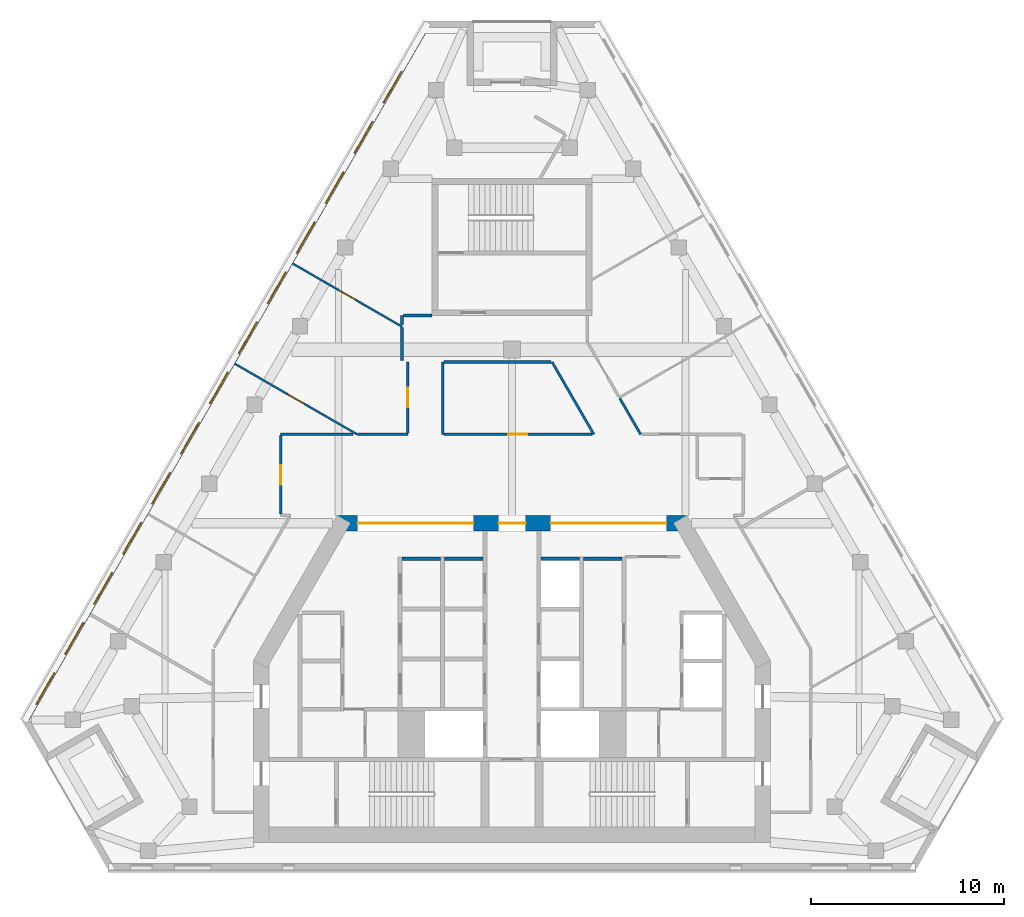
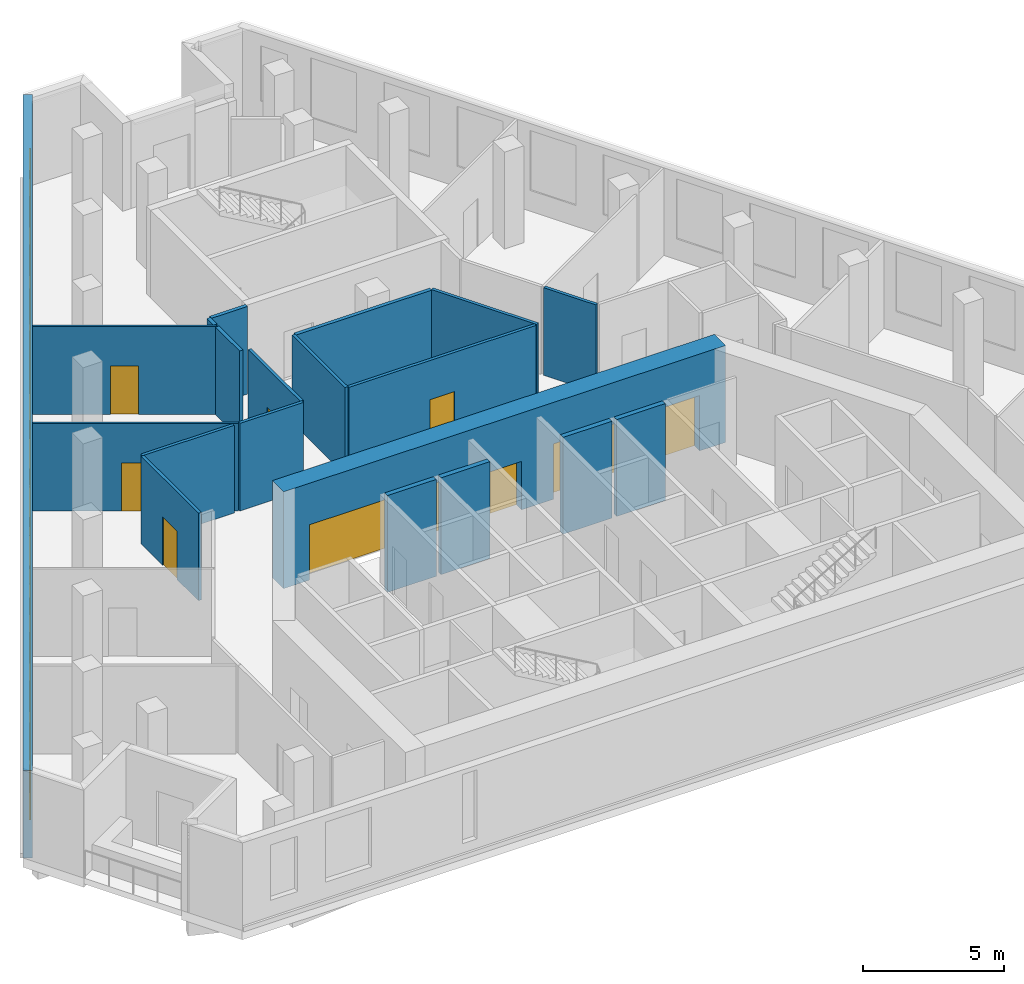
# One storey, part 4 of 9: 20 walls, 13 windows, 8 doors, 21 openings.
"""IFC4 building model written with IfcOpenShell, lengths in metres."""

from ifc_helpers import new_model, si_unit, direction, frame, frame_2d, origin, place, context, subcontext, project, spatial, rectangle, extrude, material, layer, layer_set, type_object, element, fill, save


model = new_model("IFC4")

# Units and contexts
model_context = context("Model", 3, precision=1e-05, world=origin(), true_north=direction((0.0, 1.0)))
body_context = subcontext(model_context, "Body", "Model", "MODEL_VIEW")
ifc_project = project(units=[si_unit("LENGTHUNIT", "METRE"), si_unit("AREAUNIT", "SQUARE_METRE"), si_unit("VOLUMEUNIT", "CUBIC_METRE"), si_unit("PLANEANGLEUNIT", "RADIAN"), si_unit("MASSUNIT", "GRAM", prefix="KILO")], contexts=[model_context])

# Site, building, storey
site_placement = place(None, origin())
site = spatial("IfcSite", under=ifc_project, at=site_placement, CompositionType="ELEMENT")
building_placement = place(site_placement, origin())
building = spatial("IfcBuilding", under=site, at=building_placement, Name="Fogline Exchange Tower", CompositionType="ELEMENT")
storey_placement = place(building_placement, frame((0.0, 0.0, 287.699951171875)))
storey = spatial("IfcBuildingStorey", under=building, at=storey_placement, Name="L65", CompositionType="ELEMENT", Elevation=287.699951171875)

# Walls
ifc_material_1 = material(Name="Concrete C40", Category="concrete")
ifc_layer_1 = layer(ifc_material_1, 0.199951171875)
ifc_layer_set_1 = layer_set([ifc_layer_1], Name="CW20S")
wall_type_1 = type_object("IfcWallType", Name="CW20S", PredefinedType="SOLIDWALL", material=ifc_layer_set_1)
for number, where, z_axis, x_axis, name in (
    (1, (-5.699951171875, 16.14990234375, -0.39990234375), (0.0, 0.0, 1.0), (1.0, 0.0, 0.0), "Lift shaft wall"),
    (2, (-3.5, 16.14990234375, -0.39990234375), (0.0, 0.0, 1.0), (1.0, 0.0, 0.0), "Lift shaft wall"),
    (3, (3.699951171875, 16.14990234375, -0.39990234375), (0.0, 0.0, 1.0), (1.0, 0.0, 0.0), "Lift shaft wall"),
    (4, (1.5, 16.14990234375, -0.39990234375), (0.0, 0.0, 1.0), (1.0, 0.0, 0.0), "Lift shaft wall"),
):
    element("IfcWall", number, at=place(storey_placement, frame(where, z_axis=z_axis, x_axis=x_axis)), inside=storey, type_object=wall_type_1, Name=name, PredefinedType="SOLIDWALL", context=body_context, shape_type="SweptSolid", body=[
        extrude(rectangle(XDim=2.0, YDim=0.199951171875, at=frame_2d((1.0, 0.0))), origin(), (0.0, 0.0, 1.0), 4.199951171875),
    ])

# Wall, openings, windows
ifc_material_2 = material(Name="Brick masonry", Category="masonry")
ifc_layer_2 = layer(ifc_material_2, 0.340087890625)
ifc_layer_set_2 = layer_set([ifc_layer_2], Name="FW1")
wall_type_2 = type_object("IfcWallType", Name="FW1", PredefinedType="SOLIDWALL", material=ifc_layer_set_2)
wall_1_placement = place(storey_placement, frame((-4.352783203125, 43.95166015625, 0.0), z_axis=(0.0, 0.0, 1.0), x_axis=(-0.499999693239, -0.866025580893, 0.0)))
wall_1 = element("IfcWall", 5, at=wall_1_placement, inside=storey, type_object=wall_type_2, Name="Brick wall L65 W", PredefinedType="SOLIDWALL", context=body_context, shape_type="SweptSolid", body=[
    extrude(rectangle(XDim=41.84912109375, YDim=0.340087890625, at=frame_2d((20.924560546875, 0.0))), origin(), (0.0, 0.0, 1.0), 3.800048828125),
])
opening_1_placement = place(wall_1_placement, frame((2.886962890625, 0.0, 0.89990234375)))
opening_1 = element("IfcOpeningElement", 6, at=opening_1_placement, cuts=wall_1, Name="Opening W3", PredefinedType="OPENING", context=body_context, shape_type="SweptSolid", body=[
    extrude(rectangle(XDim=1.885009765625, YDim=2.60009765625, at=frame_2d((0.9423828125, 1.300048828125))), frame((0.0, 0.18017578125, 0.0), z_axis=(0.0, -1.0, 0.0), x_axis=(1.0, 0.0, 0.0)), (0.0, 0.0, 1.0), 0.360107421875),
])
opening_2_placement = place(wall_1_placement, frame((5.886962890625, 0.0, 0.89990234375)))
opening_2 = element("IfcOpeningElement", 7, at=opening_2_placement, cuts=wall_1, Name="Opening W3", PredefinedType="OPENING", context=body_context, shape_type="SweptSolid", body=[
    extrude(rectangle(XDim=1.885009765625, YDim=2.60009765625, at=frame_2d((0.9423828125, 1.300048828125))), frame((0.0, 0.18017578125, 0.0), z_axis=(0.0, -1.0, 0.0), x_axis=(1.0, 0.0, 0.0)), (0.0, 0.0, 1.0), 0.360107421875),
])
opening_3_placement = place(wall_1_placement, frame((8.886962890625, 0.0, 0.89990234375)))
opening_3 = element("IfcOpeningElement", 8, at=opening_3_placement, cuts=wall_1, Name="Opening W3", PredefinedType="OPENING", context=body_context, shape_type="SweptSolid", body=[
    extrude(rectangle(XDim=1.885009765625, YDim=2.60009765625, at=frame_2d((0.9423828125, 1.300048828125))), frame((0.0, 0.18017578125, 0.0), z_axis=(0.0, -1.0, 0.0), x_axis=(1.0, 0.0, 0.0)), (0.0, 0.0, 1.0), 0.360107421875),
])
opening_4_placement = place(wall_1_placement, frame((11.886962890625, 0.0, 0.89990234375)))
opening_4 = element("IfcOpeningElement", 9, at=opening_4_placement, cuts=wall_1, Name="Opening W3", PredefinedType="OPENING", context=body_context, shape_type="SweptSolid", body=[
    extrude(rectangle(XDim=1.885009765625, YDim=2.60009765625, at=frame_2d((0.9423828125, 1.300048828125))), frame((0.0, 0.18017578125, 0.0), z_axis=(0.0, -1.0, 0.0), x_axis=(1.0, 0.0, 0.0)), (0.0, 0.0, 1.0), 0.360107421875),
])
opening_5_placement = place(wall_1_placement, frame((14.886962890625, 0.0, 0.89990234375)))
opening_5 = element("IfcOpeningElement", 10, at=opening_5_placement, cuts=wall_1, Name="Opening W3", PredefinedType="OPENING", context=body_context, shape_type="SweptSolid", body=[
    extrude(rectangle(XDim=1.885009765625, YDim=2.60009765625, at=frame_2d((0.9423828125, 1.300048828125))), frame((0.0, 0.18017578125, 0.0), z_axis=(0.0, -1.0, 0.0), x_axis=(1.0, 0.0, 0.0)), (0.0, 0.0, 1.0), 0.360107421875),
])
opening_6_placement = place(wall_1_placement, frame((17.886962890625, 0.0, 0.89990234375)))
opening_6 = element("IfcOpeningElement", 11, at=opening_6_placement, cuts=wall_1, Name="Opening W3", PredefinedType="OPENING", context=body_context, shape_type="SweptSolid", body=[
    extrude(rectangle(XDim=1.885009765625, YDim=2.60009765625, at=frame_2d((0.9423828125, 1.300048828125))), frame((0.0, 0.18017578125, 0.0), z_axis=(0.0, -1.0, 0.0), x_axis=(1.0, 0.0, 0.0)), (0.0, 0.0, 1.0), 0.360107421875),
])
opening_7_placement = place(wall_1_placement, frame((20.886962890625, 0.0, 0.89990234375)))
opening_7 = element("IfcOpeningElement", 12, at=opening_7_placement, cuts=wall_1, Name="Opening W3", PredefinedType="OPENING", context=body_context, shape_type="SweptSolid", body=[
    extrude(rectangle(XDim=1.885009765625, YDim=2.60009765625, at=frame_2d((0.9423828125, 1.300048828125))), frame((0.0, 0.18017578125, 0.0), z_axis=(0.0, -1.0, 0.0), x_axis=(1.0, 0.0, 0.0)), (0.0, 0.0, 1.0), 0.360107421875),
])
opening_8_placement = place(wall_1_placement, frame((23.886962890625, 0.0, 0.89990234375)))
opening_8 = element("IfcOpeningElement", 13, at=opening_8_placement, cuts=wall_1, Name="Opening W3", PredefinedType="OPENING", context=body_context, shape_type="SweptSolid", body=[
    extrude(rectangle(XDim=1.885009765625, YDim=2.60009765625, at=frame_2d((0.9423828125, 1.300048828125))), frame((0.0, 0.18017578125, 0.0), z_axis=(0.0, -1.0, 0.0), x_axis=(1.0, 0.0, 0.0)), (0.0, 0.0, 1.0), 0.360107421875),
])
opening_9_placement = place(wall_1_placement, frame((26.886962890625, 0.0, 0.89990234375)))
opening_9 = element("IfcOpeningElement", 14, at=opening_9_placement, cuts=wall_1, Name="Opening W3", PredefinedType="OPENING", context=body_context, shape_type="SweptSolid", body=[
    extrude(rectangle(XDim=1.885009765625, YDim=2.60009765625, at=frame_2d((0.9423828125, 1.300048828125))), frame((0.0, 0.18017578125, 0.0), z_axis=(0.0, -1.0, 0.0), x_axis=(1.0, 0.0, 0.0)), (0.0, 0.0, 1.0), 0.360107421875),
])
opening_10_placement = place(wall_1_placement, frame((29.886962890625, 0.0, 0.89990234375)))
opening_10 = element("IfcOpeningElement", 15, at=opening_10_placement, cuts=wall_1, Name="Opening W3", PredefinedType="OPENING", context=body_context, shape_type="SweptSolid", body=[
    extrude(rectangle(XDim=1.885009765625, YDim=2.60009765625, at=frame_2d((0.9423828125, 1.300048828125))), frame((0.0, 0.18017578125, 0.0), z_axis=(0.0, -1.0, 0.0), x_axis=(1.0, 0.0, 0.0)), (0.0, 0.0, 1.0), 0.360107421875),
])
opening_11_placement = place(wall_1_placement, frame((32.886962890625, 0.0, 0.89990234375)))
opening_11 = element("IfcOpeningElement", 16, at=opening_11_placement, cuts=wall_1, Name="Opening W3", PredefinedType="OPENING", context=body_context, shape_type="SweptSolid", body=[
    extrude(rectangle(XDim=1.885009765625, YDim=2.60009765625, at=frame_2d((0.9423828125, 1.300048828125))), frame((0.0, 0.18017578125, 0.0), z_axis=(0.0, -1.0, 0.0), x_axis=(1.0, 0.0, 0.0)), (0.0, 0.0, 1.0), 0.360107421875),
])
opening_12_placement = place(wall_1_placement, frame((35.886962890625, 0.0, 0.89990234375)))
opening_12 = element("IfcOpeningElement", 17, at=opening_12_placement, cuts=wall_1, Name="Opening W3", PredefinedType="OPENING", context=body_context, shape_type="SweptSolid", body=[
    extrude(rectangle(XDim=1.885009765625, YDim=2.60009765625, at=frame_2d((0.9423828125, 1.300048828125))), frame((0.0, 0.18017578125, 0.0), z_axis=(0.0, -1.0, 0.0), x_axis=(1.0, 0.0, 0.0)), (0.0, 0.0, 1.0), 0.360107421875),
])
opening_13_placement = place(wall_1_placement, frame((38.886962890625, 0.0, 0.89990234375)))
opening_13 = element("IfcOpeningElement", 18, at=opening_13_placement, cuts=wall_1, Name="Opening W3", PredefinedType="OPENING", context=body_context, shape_type="SweptSolid", body=[
    extrude(rectangle(XDim=1.885009765625, YDim=2.60009765625, at=frame_2d((0.9423828125, 1.300048828125))), frame((0.0, 0.18017578125, 0.0), z_axis=(0.0, -1.0, 0.0), x_axis=(1.0, 0.0, 0.0)), (0.0, 0.0, 1.0), 0.360107421875),
])
ifc_material_3 = material(Name="Aluminium and glass", Category="aluminium")
window_type = type_object("IfcWindowType", Name="W3", PartitioningType="SINGLE_PANEL", PredefinedType="WINDOW", material=ifc_material_3)
window_1_placement = place(opening_1_placement, origin())
window_1 = element("IfcWindow", 19, at=window_1_placement, inside=storey, type_object=window_type, Name="W3 W3", OverallHeight=2.60009765625, OverallWidth=1.885009765625, PartitioningType="SINGLE_PANEL", PredefinedType="WINDOW", context=body_context, shape_type="SweptSolid", body=[
    extrude(rectangle(XDim=1.885009765625, YDim=2.60009765625, at=frame_2d((0.9423828125, 1.300048828125))), frame((0.0, 0.110107421875, 0.0), z_axis=(0.0, -1.0, 0.0), x_axis=(1.0, 0.0, 0.0)), (0.0, 0.0, 1.0), 0.06005859375),
])
fill(opening_1, window_1)
window_2_placement = place(opening_2_placement, origin())
window_2 = element("IfcWindow", 20, at=window_2_placement, inside=storey, type_object=window_type, Name="W3 W3", OverallHeight=2.60009765625, OverallWidth=1.885009765625, PartitioningType="SINGLE_PANEL", PredefinedType="WINDOW", context=body_context, shape_type="SweptSolid", body=[
    extrude(rectangle(XDim=1.885009765625, YDim=2.60009765625, at=frame_2d((0.9423828125, 1.300048828125))), frame((0.0, 0.110107421875, 0.0), z_axis=(0.0, -1.0, 0.0), x_axis=(1.0, 0.0, 0.0)), (0.0, 0.0, 1.0), 0.06005859375),
])
fill(opening_2, window_2)
window_3_placement = place(opening_3_placement, origin())
window_3 = element("IfcWindow", 21, at=window_3_placement, inside=storey, type_object=window_type, Name="W3 W3", OverallHeight=2.60009765625, OverallWidth=1.885009765625, PartitioningType="SINGLE_PANEL", PredefinedType="WINDOW", context=body_context, shape_type="SweptSolid", body=[
    extrude(rectangle(XDim=1.885009765625, YDim=2.60009765625, at=frame_2d((0.9423828125, 1.300048828125))), frame((0.0, 0.110107421875, 0.0), z_axis=(0.0, -1.0, 0.0), x_axis=(1.0, 0.0, 0.0)), (0.0, 0.0, 1.0), 0.06005859375),
])
fill(opening_3, window_3)
window_4_placement = place(opening_4_placement, origin())
window_4 = element("IfcWindow", 22, at=window_4_placement, inside=storey, type_object=window_type, Name="W3 W3", OverallHeight=2.60009765625, OverallWidth=1.885009765625, PartitioningType="SINGLE_PANEL", PredefinedType="WINDOW", context=body_context, shape_type="SweptSolid", body=[
    extrude(rectangle(XDim=1.885009765625, YDim=2.60009765625, at=frame_2d((0.9423828125, 1.300048828125))), frame((0.0, 0.110107421875, 0.0), z_axis=(0.0, -1.0, 0.0), x_axis=(1.0, 0.0, 0.0)), (0.0, 0.0, 1.0), 0.06005859375),
])
fill(opening_4, window_4)
window_5_placement = place(opening_5_placement, origin())
window_5 = element("IfcWindow", 23, at=window_5_placement, inside=storey, type_object=window_type, Name="W3 W3", OverallHeight=2.60009765625, OverallWidth=1.885009765625, PartitioningType="SINGLE_PANEL", PredefinedType="WINDOW", context=body_context, shape_type="SweptSolid", body=[
    extrude(rectangle(XDim=1.885009765625, YDim=2.60009765625, at=frame_2d((0.9423828125, 1.300048828125))), frame((0.0, 0.110107421875, 0.0), z_axis=(0.0, -1.0, 0.0), x_axis=(1.0, 0.0, 0.0)), (0.0, 0.0, 1.0), 0.06005859375),
])
fill(opening_5, window_5)
window_6_placement = place(opening_6_placement, origin())
window_6 = element("IfcWindow", 24, at=window_6_placement, inside=storey, type_object=window_type, Name="W3 W3", OverallHeight=2.60009765625, OverallWidth=1.885009765625, PartitioningType="SINGLE_PANEL", PredefinedType="WINDOW", context=body_context, shape_type="SweptSolid", body=[
    extrude(rectangle(XDim=1.885009765625, YDim=2.60009765625, at=frame_2d((0.9423828125, 1.300048828125))), frame((0.0, 0.110107421875, 0.0), z_axis=(0.0, -1.0, 0.0), x_axis=(1.0, 0.0, 0.0)), (0.0, 0.0, 1.0), 0.06005859375),
])
fill(opening_6, window_6)
window_7_placement = place(opening_7_placement, origin())
window_7 = element("IfcWindow", 25, at=window_7_placement, inside=storey, type_object=window_type, Name="W3 W3", OverallHeight=2.60009765625, OverallWidth=1.885009765625, PartitioningType="SINGLE_PANEL", PredefinedType="WINDOW", context=body_context, shape_type="SweptSolid", body=[
    extrude(rectangle(XDim=1.885009765625, YDim=2.60009765625, at=frame_2d((0.9423828125, 1.300048828125))), frame((0.0, 0.110107421875, 0.0), z_axis=(0.0, -1.0, 0.0), x_axis=(1.0, 0.0, 0.0)), (0.0, 0.0, 1.0), 0.06005859375),
])
fill(opening_7, window_7)
window_8_placement = place(opening_8_placement, origin())
window_8 = element("IfcWindow", 26, at=window_8_placement, inside=storey, type_object=window_type, Name="W3 W3", OverallHeight=2.60009765625, OverallWidth=1.885009765625, PartitioningType="SINGLE_PANEL", PredefinedType="WINDOW", context=body_context, shape_type="SweptSolid", body=[
    extrude(rectangle(XDim=1.885009765625, YDim=2.60009765625, at=frame_2d((0.9423828125, 1.300048828125))), frame((0.0, 0.110107421875, 0.0), z_axis=(0.0, -1.0, 0.0), x_axis=(1.0, 0.0, 0.0)), (0.0, 0.0, 1.0), 0.06005859375),
])
fill(opening_8, window_8)
window_9_placement = place(opening_9_placement, origin())
window_9 = element("IfcWindow", 27, at=window_9_placement, inside=storey, type_object=window_type, Name="W3 W3", OverallHeight=2.60009765625, OverallWidth=1.885009765625, PartitioningType="SINGLE_PANEL", PredefinedType="WINDOW", context=body_context, shape_type="SweptSolid", body=[
    extrude(rectangle(XDim=1.885009765625, YDim=2.60009765625, at=frame_2d((0.9423828125, 1.300048828125))), frame((0.0, 0.110107421875, 0.0), z_axis=(0.0, -1.0, 0.0), x_axis=(1.0, 0.0, 0.0)), (0.0, 0.0, 1.0), 0.06005859375),
])
fill(opening_9, window_9)
window_10_placement = place(opening_10_placement, origin())
window_10 = element("IfcWindow", 28, at=window_10_placement, inside=storey, type_object=window_type, Name="W3 W3", OverallHeight=2.60009765625, OverallWidth=1.885009765625, PartitioningType="SINGLE_PANEL", PredefinedType="WINDOW", context=body_context, shape_type="SweptSolid", body=[
    extrude(rectangle(XDim=1.885009765625, YDim=2.60009765625, at=frame_2d((0.9423828125, 1.300048828125))), frame((0.0, 0.110107421875, 0.0), z_axis=(0.0, -1.0, 0.0), x_axis=(1.0, 0.0, 0.0)), (0.0, 0.0, 1.0), 0.06005859375),
])
fill(opening_10, window_10)
window_11_placement = place(opening_11_placement, origin())
window_11 = element("IfcWindow", 29, at=window_11_placement, inside=storey, type_object=window_type, Name="W3 W3", OverallHeight=2.60009765625, OverallWidth=1.885009765625, PartitioningType="SINGLE_PANEL", PredefinedType="WINDOW", context=body_context, shape_type="SweptSolid", body=[
    extrude(rectangle(XDim=1.885009765625, YDim=2.60009765625, at=frame_2d((0.9423828125, 1.300048828125))), frame((0.0, 0.110107421875, 0.0), z_axis=(0.0, -1.0, 0.0), x_axis=(1.0, 0.0, 0.0)), (0.0, 0.0, 1.0), 0.06005859375),
])
fill(opening_11, window_11)
window_12_placement = place(opening_12_placement, origin())
window_12 = element("IfcWindow", 30, at=window_12_placement, inside=storey, type_object=window_type, Name="W3 W3", OverallHeight=2.60009765625, OverallWidth=1.885009765625, PartitioningType="SINGLE_PANEL", PredefinedType="WINDOW", context=body_context, shape_type="SweptSolid", body=[
    extrude(rectangle(XDim=1.885009765625, YDim=2.60009765625, at=frame_2d((0.9423828125, 1.300048828125))), frame((0.0, 0.110107421875, 0.0), z_axis=(0.0, -1.0, 0.0), x_axis=(1.0, 0.0, 0.0)), (0.0, 0.0, 1.0), 0.06005859375),
])
fill(opening_12, window_12)
window_13_placement = place(opening_13_placement, origin())
window_13 = element("IfcWindow", 31, at=window_13_placement, inside=storey, type_object=window_type, Name="W3 W3", OverallHeight=2.60009765625, OverallWidth=1.885009765625, PartitioningType="SINGLE_PANEL", PredefinedType="WINDOW", context=body_context, shape_type="SweptSolid", body=[
    extrude(rectangle(XDim=1.885009765625, YDim=2.60009765625, at=frame_2d((0.9423828125, 1.300048828125))), frame((0.0, 0.110107421875, 0.0), z_axis=(0.0, -1.0, 0.0), x_axis=(1.0, 0.0, 0.0)), (0.0, 0.0, 1.0), 0.06005859375),
])
fill(opening_13, window_13)

# Wall, opening, door
ifc_material_4 = material(Name="Plasterboard partition, 2 layers each side on steel studs", Category="steel")
ifc_layer_3 = layer(ifc_material_4, 0.10009765625)
ifc_layer_set_3 = layer_set([ifc_layer_3], Name="PW1")
wall_type_3 = type_object("IfcWallType", Name="PW1", PredefinedType="PARTITIONING", material=ifc_layer_set_3)
wall_2_placement = place(storey_placement, frame((-5.699951171875, 28.183349609375, 0.0), z_axis=(0.0, 0.0, 1.0), x_axis=(-0.86602475796, 0.5000011186, 0.0)))
wall_2 = element("IfcWall", 32, at=wall_2_placement, inside=storey, type_object=wall_type_3, Name="wall-L65-W041", PredefinedType="PARTITIONING", context=body_context, shape_type="SweptSolid", body=[
    extrude(rectangle(XDim=6.54736328125, YDim=0.10009765625, at=frame_2d((3.273681640625, 0.0))), origin(), (0.0, 0.0, 1.0), 3.800048828125),
])
opening_14_placement = place(wall_2_placement, frame((2.773681640625, 0.0, 0.0)))
opening_14 = element("IfcOpeningElement", 33, at=opening_14_placement, cuts=wall_2, Name="Opening T20-D013", PredefinedType="OPENING", context=body_context, shape_type="SweptSolid", body=[
    extrude(rectangle(XDim=1.0, YDim=2.10009765625, at=frame_2d((0.5, 1.050048828125))), frame((0.0, 0.06005859375, 0.0), z_axis=(0.0, -1.0, 0.0), x_axis=(1.0, 0.0, 0.0)), (0.0, 0.0, 1.0), 0.1201171875),
])
ifc_material_5 = material(Name="Timber door leaf with steel frame", Category="steel")
door_type_1 = type_object("IfcDoorType", Name="D1", OperationType="SINGLE_SWING_LEFT", PredefinedType="DOOR", material=ifc_material_5)
door_1_placement = place(opening_14_placement, origin())
door_1 = element("IfcDoor", 34, at=door_1_placement, inside=storey, type_object=door_type_1, Name="door-L65-D013", OperationType="SINGLE_SWING_LEFT", OverallHeight=2.10009765625, OverallWidth=1.0, PredefinedType="DOOR", context=body_context, shape_type="SweptSolid", body=[
    extrude(rectangle(XDim=1.0, YDim=2.10009765625, at=frame_2d((0.5, 1.050048828125))), frame((0.0, 0.02490234375, 0.0), z_axis=(0.0, -1.0, 0.0), x_axis=(1.0, 0.0, 0.0)), (0.0, 0.0, 1.0), 0.050048828125),
])
fill(opening_14, door_1)

wall_3_placement = place(storey_placement, frame((-8.029296875, 22.60009765625, 0.0), z_axis=(0.0, 0.0, 1.0), x_axis=(-0.866024554669, 0.500001470709, 0.0)))
wall_3 = element("IfcWall", 35, at=wall_3_placement, inside=storey, type_object=wall_type_3, Name="wall-L65-W042", PredefinedType="PARTITIONING", context=body_context, shape_type="SweptSolid", body=[
    extrude(rectangle(XDim=7.32177734375, YDim=0.10009765625, at=frame_2d((3.660888671875, 0.0))), origin(), (0.0, 0.0, 1.0), 3.800048828125),
])
opening_15_placement = place(wall_3_placement, frame((3.160888671875, 0.0, 0.0)))
opening_15 = element("IfcOpeningElement", 36, at=opening_15_placement, cuts=wall_3, Name="Opening T20-D014", PredefinedType="OPENING", context=body_context, shape_type="SweptSolid", body=[
    extrude(rectangle(XDim=1.0, YDim=2.10009765625, at=frame_2d((0.5, 1.050048828125))), frame((0.0, 0.06005859375, 0.0), z_axis=(0.0, -1.0, 0.0), x_axis=(1.0, 0.0, 0.0)), (0.0, 0.0, 1.0), 0.1201171875),
])
door_2_placement = place(opening_15_placement, frame((1.0, 0.0, 0.0), z_axis=(0.0, 0.0, 1.0), x_axis=(-1.0, 0.0, 0.0)))
door_2 = element("IfcDoor", 37, at=door_2_placement, inside=storey, type_object=door_type_1, Name="door-L65-D014", OperationType="SINGLE_SWING_LEFT", OverallHeight=2.10009765625, OverallWidth=1.0, PredefinedType="DOOR", context=body_context, shape_type="SweptSolid", body=[
    extrude(rectangle(XDim=1.0, YDim=2.10009765625, at=frame_2d((0.5, 1.050048828125))), frame((0.0, 0.02490234375, 0.0), z_axis=(0.0, -1.0, 0.0), x_axis=(1.0, 0.0, 0.0)), (0.0, 0.0, 1.0), 0.050048828125),
])
fill(opening_15, door_2)

ifc_material_6 = material(Name="Plasterboard corridor partition with mineral wool, 2 layers each side")
ifc_layer_4 = layer(ifc_material_6, 0.125)
ifc_layer_set_4 = layer_set([ifc_layer_4], Name="PW2")
wall_type_4 = type_object("IfcWallType", Name="PW2", PredefinedType="PARTITIONING", material=ifc_layer_set_4)
wall_4_placement = place(storey_placement, frame((-3.53759765625, 22.60009765625, 0.0), z_axis=(0.0, 0.0, 1.0), x_axis=(1.0, 0.0, 0.0)))
wall_4 = element("IfcWall", 38, at=wall_4_placement, inside=storey, type_object=wall_type_4, Name="wall-L65-W011", PredefinedType="PARTITIONING", context=body_context, shape_type="SweptSolid", body=[
    extrude(rectangle(XDim=7.6728515625, YDim=0.125, at=frame_2d((3.83642578125, 0.0))), origin(), (0.0, 0.0, 1.0), 3.800048828125),
])
opening_16_placement = place(wall_4_placement, frame((3.33642578125, 0.0, 0.0)))
opening_16 = element("IfcOpeningElement", 39, at=opening_16_placement, cuts=wall_4, Name="Opening T20-D005", PredefinedType="OPENING", context=body_context, shape_type="SweptSolid", body=[
    extrude(rectangle(XDim=1.0, YDim=2.10009765625, at=frame_2d((0.5, 1.050048828125))), frame((0.0, 0.072509765625, 0.0), z_axis=(0.0, -1.0, 0.0), x_axis=(1.0, 0.0, 0.0)), (0.0, 0.0, 1.0), 0.14501953125),
])
ifc_material_7 = material(Name="Fire-rated timber door leaf with steel frame", Category="steel")
door_type_2 = type_object("IfcDoorType", Name="D3", OperationType="SINGLE_SWING_LEFT", PredefinedType="DOOR", material=ifc_material_7)
door_3_placement = place(opening_16_placement, origin())
door_3 = element("IfcDoor", 40, at=door_3_placement, inside=storey, type_object=door_type_2, Name="door-L65-D005", OperationType="SINGLE_SWING_LEFT", OverallHeight=2.10009765625, OverallWidth=1.0, PredefinedType="DOOR", context=body_context, shape_type="SweptSolid", body=[
    extrude(rectangle(XDim=1.0, YDim=2.10009765625, at=frame_2d((0.5, 1.050048828125))), frame((0.0, 0.02490234375, 0.0), z_axis=(0.0, -1.0, 0.0), x_axis=(1.0, 0.0, 0.0)), (0.0, 0.0, 1.0), 0.050048828125),
])
fill(opening_16, door_3)

# Wall
wall_5_placement = place(storey_placement, frame((-8.00390625, 22.60009765625, 0.0), z_axis=(0.0, 0.0, 1.0), x_axis=(1.0, 0.0, 0.0)))
element("IfcWall", 41, at=wall_5_placement, inside=storey, type_object=wall_type_4, Name="wall-L65-W012", PredefinedType="PARTITIONING", context=body_context, shape_type="SweptSolid", body=[
    extrude(rectangle(XDim=2.60400390625, YDim=0.125, at=frame_2d((1.302001953125, 0.0))), origin(), (0.0, 0.0, 1.0), 3.800048828125),
])

# Wall, opening, door
wall_6_placement = place(storey_placement, frame((-12.0, 18.46240234375, 0.0), z_axis=(0.0, 0.0, 1.0), x_axis=(0.0, 1.0, 0.0)))
wall_6 = element("IfcWall", 42, at=wall_6_placement, inside=storey, type_object=wall_type_4, Name="wall-L65-W014", PredefinedType="PARTITIONING", context=body_context, shape_type="SweptSolid", body=[
    extrude(rectangle(XDim=4.0751953125, YDim=0.125, at=frame_2d((2.03759765625, 0.0))), origin(), (0.0, 0.0, 1.0), 3.800048828125),
])
opening_17_placement = place(wall_6_placement, frame((1.53759765625, 0.0, 0.0)))
opening_17 = element("IfcOpeningElement", 43, at=opening_17_placement, cuts=wall_6, Name="Opening T20-D006", PredefinedType="OPENING", context=body_context, shape_type="SweptSolid", body=[
    extrude(rectangle(XDim=1.0, YDim=2.10009765625, at=frame_2d((0.5, 1.050048828125))), frame((0.0, 0.072509765625, 0.0), z_axis=(0.0, -1.0, 0.0), x_axis=(1.0, 0.0, 0.0)), (0.0, 0.0, 1.0), 0.14501953125),
])
door_4_placement = place(opening_17_placement, origin())
door_4 = element("IfcDoor", 44, at=door_4_placement, inside=storey, type_object=door_type_2, Name="door-L65-D006", OperationType="SINGLE_SWING_LEFT", OverallHeight=2.10009765625, OverallWidth=1.0, PredefinedType="DOOR", context=body_context, shape_type="SweptSolid", body=[
    extrude(rectangle(XDim=1.0, YDim=2.10009765625, at=frame_2d((0.5, 1.050048828125))), frame((0.0, 0.02490234375, 0.0), z_axis=(0.0, -1.0, 0.0), x_axis=(1.0, 0.0, 0.0)), (0.0, 0.0, 1.0), 0.050048828125),
])
fill(opening_17, door_4)

# Walls
wall_7_placement = place(storey_placement, frame((-12.0, 22.60009765625, 0.0), z_axis=(0.0, 0.0, 1.0), x_axis=(1.0, 0.0, 0.0)))
element("IfcWall", 45, at=wall_7_placement, inside=storey, type_object=wall_type_4, Name="wall-L65-W015", PredefinedType="PARTITIONING", context=body_context, shape_type="SweptSolid", body=[
    extrude(rectangle(XDim=3.761962890625, YDim=0.125, at=frame_2d((1.880859375, 0.0))), origin(), (0.0, 0.0, 1.0), 3.800048828125),
])
wall_8_placement = place(storey_placement, frame((-3.60009765625, 26.35693359375, 0.0), z_axis=(0.0, 0.0, 1.0), x_axis=(0.0, -1.0, 0.0)))
element("IfcWall", 46, at=wall_8_placement, inside=storey, type_object=wall_type_4, Name="wall-L65-W026", PredefinedType="PARTITIONING", context=body_context, shape_type="SweptSolid", body=[
    extrude(rectangle(XDim=3.7568359375, YDim=0.125, at=frame_2d((1.87841796875, 0.0))), origin(), (0.0, 0.0, 1.0), 3.800048828125),
])

# Wall, opening, door
wall_9_placement = place(storey_placement, frame((-5.39990234375, 22.66259765625, 0.0), z_axis=(0.0, 0.0, 1.0), x_axis=(0.0, 1.0, 0.0)))
wall_9 = element("IfcWall", 47, at=wall_9_placement, inside=storey, type_object=wall_type_4, Name="wall-L65-W027", PredefinedType="PARTITIONING", context=body_context, shape_type="SweptSolid", body=[
    extrude(rectangle(XDim=3.6943359375, YDim=0.125, at=frame_2d((1.84716796875, 0.0))), origin(), (0.0, 0.0, 1.0), 3.800048828125),
])
opening_18_placement = place(wall_9_placement, frame((1.34716796875, 0.0, 0.0)))
opening_18 = element("IfcOpeningElement", 48, at=opening_18_placement, cuts=wall_9, Name="Opening T20-D009", PredefinedType="OPENING", context=body_context, shape_type="SweptSolid", body=[
    extrude(rectangle(XDim=1.0, YDim=2.10009765625, at=frame_2d((0.5, 1.050048828125))), frame((0.0, 0.072509765625, 0.0), z_axis=(0.0, -1.0, 0.0), x_axis=(1.0, 0.0, 0.0)), (0.0, 0.0, 1.0), 0.14501953125),
])
door_5_placement = place(opening_18_placement, origin())
door_5 = element("IfcDoor", 49, at=door_5_placement, inside=storey, type_object=door_type_2, Name="door-L65-D009", OperationType="SINGLE_SWING_LEFT", OverallHeight=2.10009765625, OverallWidth=1.0, PredefinedType="DOOR", context=body_context, shape_type="SweptSolid", body=[
    extrude(rectangle(XDim=1.0, YDim=2.10009765625, at=frame_2d((0.5, 1.050048828125))), frame((0.0, 0.02490234375, 0.0), z_axis=(0.0, -1.0, 0.0), x_axis=(1.0, 0.0, 0.0)), (0.0, 0.0, 1.0), 0.050048828125),
])
fill(opening_18, door_5)

# Walls
wall_10_placement = place(storey_placement, frame((5.591796875, 24.4658203125, 0.0), z_axis=(0.0, 0.0, 1.0), x_axis=(0.499990586292, -0.866030838723, 0.0)))
element("IfcWall", 50, at=wall_10_placement, inside=storey, type_object=wall_type_4, Name="wall-L65-W028", PredefinedType="PARTITIONING", context=body_context, shape_type="SweptSolid", body=[
    extrude(rectangle(XDim=2.154296875, YDim=0.125, at=frame_2d((1.0771484375, 0.0))), origin(), (0.0, 0.0, 1.0), 3.800048828125),
])
wall_11_placement = place(storey_placement, frame((4.243896484375, 22.60009765625, 0.0), z_axis=(0.0, 0.0, 1.0), x_axis=(-0.499988774596, 0.866031884678, 0.0)))
element("IfcWall", 51, at=wall_11_placement, inside=storey, type_object=wall_type_4, Name="wall-L65-W030", PredefinedType="PARTITIONING", context=body_context, shape_type="SweptSolid", body=[
    extrude(rectangle(XDim=4.337890625, YDim=0.125, at=frame_2d((2.1689453125, 0.0))), origin(), (0.0, 0.0, 1.0), 3.800048828125),
])
ifc_material_8 = material(Name="Plasterboard stair lobby partition, 3 layers each side on steel studs", Category="steel")
ifc_layer_5 = layer(ifc_material_8, 0.14990234375)
ifc_layer_set_5 = layer_set([ifc_layer_5], Name="PW4")
wall_type_5 = type_object("IfcWallType", Name="PW4", PredefinedType="PARTITIONING", material=ifc_layer_set_5)
wall_12_placement = place(storey_placement, frame((2.02099609375, 26.35693359375, 0.0), z_axis=(0.0, 0.0, 1.0), x_axis=(-1.0, 0.0, 0.0)))
element("IfcWall", 52, at=wall_12_placement, inside=storey, type_object=wall_type_5, Name="wall-L65-W022", PredefinedType="PARTITIONING", context=body_context, shape_type="SweptSolid", body=[
    extrude(rectangle(XDim=5.55859375, YDim=0.14990234375, at=frame_2d((2.779296875, 0.0))), origin(), (0.0, 0.0, 1.0), 3.800048828125),
])
wall_13_placement = place(storey_placement, frame((-5.699951171875, 28.284912109375, 0.0), z_axis=(0.0, 0.0, 1.0), x_axis=(0.0, 1.0, 0.0)))
element("IfcWall", 53, at=wall_13_placement, inside=storey, type_object=wall_type_5, Name="wall-L65-W023", PredefinedType="PARTITIONING", context=body_context, shape_type="SweptSolid", body=[
    extrude(rectangle(XDim=0.47216796875, YDim=0.14990234375, at=frame_2d((0.236083984375, 0.0))), origin(), (0.0, 0.0, 1.0), 3.800048828125),
])
wall_14_placement = place(storey_placement, frame((-5.625, 28.757080078125, 0.0), z_axis=(0.0, 0.0, 1.0), x_axis=(1.0, 0.0, 0.0)))
element("IfcWall", 54, at=wall_14_placement, inside=storey, type_object=wall_type_5, Name="wall-L65-W024", PredefinedType="PARTITIONING", context=body_context, shape_type="SweptSolid", body=[
    extrude(rectangle(XDim=1.47509765625, YDim=0.14990234375, at=frame_2d((0.737548828125, 0.0))), origin(), (0.0, 0.0, 1.0), 3.800048828125),
])
wall_15_placement = place(storey_placement, frame((-5.699951171875, 26.431884765625, 0.0), z_axis=(0.0, 0.0, 1.0), x_axis=(0.0, 1.0, 0.0)))
element("IfcWall", 55, at=wall_15_placement, inside=storey, type_object=wall_type_5, Name="wall-L65-W025", PredefinedType="PARTITIONING", context=body_context, shape_type="SweptSolid", body=[
    extrude(rectangle(XDim=1.707763671875, YDim=0.14990234375, at=frame_2d((0.85400390625, 0.0))), origin(), (0.0, 0.0, 1.0), 3.800048828125),
])

# Wall, openings, doors
ifc_material_9 = material(Name="Concrete C50", Category="concrete")
ifc_layer_6 = layer(ifc_material_9, 0.800048828125)
ifc_layer_set_6 = layer_set([ifc_layer_6], Name="SW04")
wall_type_6 = type_object("IfcWallType", Name="SW04", PredefinedType="SHEAR", material=ifc_layer_set_6)
wall_16_placement = place(storey_placement, frame((9.065185546875, 18.0, 0.0), z_axis=(0.0, 0.0, 1.0), x_axis=(-1.0, 0.0, 0.0)))
wall_16 = element("IfcWall", 56, at=wall_16_placement, inside=storey, type_object=wall_type_6, Name="L65-W904", PredefinedType="SHEAR", context=body_context, shape_type="SweptSolid", body=[
    extrude(rectangle(XDim=18.13037109375, YDim=0.800048828125, at=frame_2d((9.065185546875, 0.0))), origin(), (0.0, 0.0, 1.0), 4.199951171875),
])
opening_19_placement = place(wall_16_placement, frame((8.364990234375, 0.0, 0.0)))
opening_19 = element("IfcOpeningElement", 57, at=opening_19_placement, cuts=wall_16, Name="Opening T20-C023", PredefinedType="OPENING", context=body_context, shape_type="SweptSolid", body=[
    extrude(rectangle(XDim=1.39990234375, YDim=2.10009765625, at=frame_2d((0.699951171875, 1.050048828125))), frame((0.0, 0.41015625, 0.0), z_axis=(0.0, -1.0, 0.0), x_axis=(1.0, 0.0, 0.0)), (0.0, 0.0, 1.0), 0.820068359375),
])
opening_20_placement = place(wall_16_placement, frame((11.065185546875, 0.0, 0.0)))
opening_20 = element("IfcOpeningElement", 58, at=opening_20_placement, cuts=wall_16, Name="Opening T20-C024", PredefinedType="OPENING", context=body_context, shape_type="SweptSolid", body=[
    extrude(rectangle(XDim=6.0, YDim=2.39990234375, at=frame_2d((3.0, 1.199951171875))), frame((0.0, 0.41015625, 0.0), z_axis=(0.0, -1.0, 0.0), x_axis=(1.0, 0.0, 0.0)), (0.0, 0.0, 1.0), 0.820068359375),
])
opening_21_placement = place(wall_16_placement, frame((1.065185546875, 0.0, 0.0)))
opening_21 = element("IfcOpeningElement", 59, at=opening_21_placement, cuts=wall_16, Name="Opening T20-C025", PredefinedType="OPENING", context=body_context, shape_type="SweptSolid", body=[
    extrude(rectangle(XDim=6.0, YDim=2.39990234375, at=frame_2d((3.0, 1.199951171875))), frame((0.0, 0.41015625, 0.0), z_axis=(0.0, -1.0, 0.0), x_axis=(1.0, 0.0, 0.0)), (0.0, 0.0, 1.0), 0.820068359375),
])
ifc_material_10 = material(Name="Steel and timber fire door", Category="steel")
door_type_3 = type_object("IfcDoorType", Name="D-LB1", OperationType="DOUBLE_DOOR_SINGLE_SWING", PredefinedType="DOOR", material=ifc_material_10)
door_6_placement = place(opening_19_placement, origin())
door_6 = element("IfcDoor", 60, at=door_6_placement, inside=storey, type_object=door_type_3, Name="Protected lobby door", OperationType="DOUBLE_DOOR_SINGLE_SWING", OverallHeight=2.10009765625, OverallWidth=1.39990234375, PredefinedType="DOOR", context=body_context, shape_type="SweptSolid", body=[
    extrude(rectangle(XDim=1.39990234375, YDim=2.10009765625, at=frame_2d((0.699951171875, 1.050048828125))), frame((0.0, 0.02490234375, 0.0), z_axis=(0.0, -1.0, 0.0), x_axis=(1.0, 0.0, 0.0)), (0.0, 0.0, 1.0), 0.050048828125),
])
fill(opening_19, door_6)
door_type_4 = type_object("IfcDoorType", Name="D-LE1", OperationType="DOUBLE_DOOR_SLIDING", PredefinedType="DOOR", material=ifc_material_10)
door_7_placement = place(opening_20_placement, origin())
door_7 = element("IfcDoor", 61, at=door_7_placement, inside=storey, type_object=door_type_4, Name="Lift lobby entrance west", OperationType="DOUBLE_DOOR_SLIDING", OverallHeight=2.39990234375, OverallWidth=6.0, PredefinedType="DOOR", context=body_context, shape_type="SweptSolid", body=[
    extrude(rectangle(XDim=6.0, YDim=2.39990234375, at=frame_2d((3.0, 1.199951171875))), frame((0.0, 0.02490234375, 0.0), z_axis=(0.0, -1.0, 0.0), x_axis=(1.0, 0.0, 0.0)), (0.0, 0.0, 1.0), 0.050048828125),
])
fill(opening_20, door_7)
door_8_placement = place(opening_21_placement, origin())
door_8 = element("IfcDoor", 62, at=door_8_placement, inside=storey, type_object=door_type_4, Name="Lift lobby entrance east", OperationType="DOUBLE_DOOR_SLIDING", OverallHeight=2.39990234375, OverallWidth=6.0, PredefinedType="DOOR", context=body_context, shape_type="SweptSolid", body=[
    extrude(rectangle(XDim=6.0, YDim=2.39990234375, at=frame_2d((3.0, 1.199951171875))), frame((0.0, 0.02490234375, 0.0), z_axis=(0.0, -1.0, 0.0), x_axis=(1.0, 0.0, 0.0)), (0.0, 0.0, 1.0), 0.050048828125),
])
fill(opening_21, door_8)

save(model, "model.ifc")
